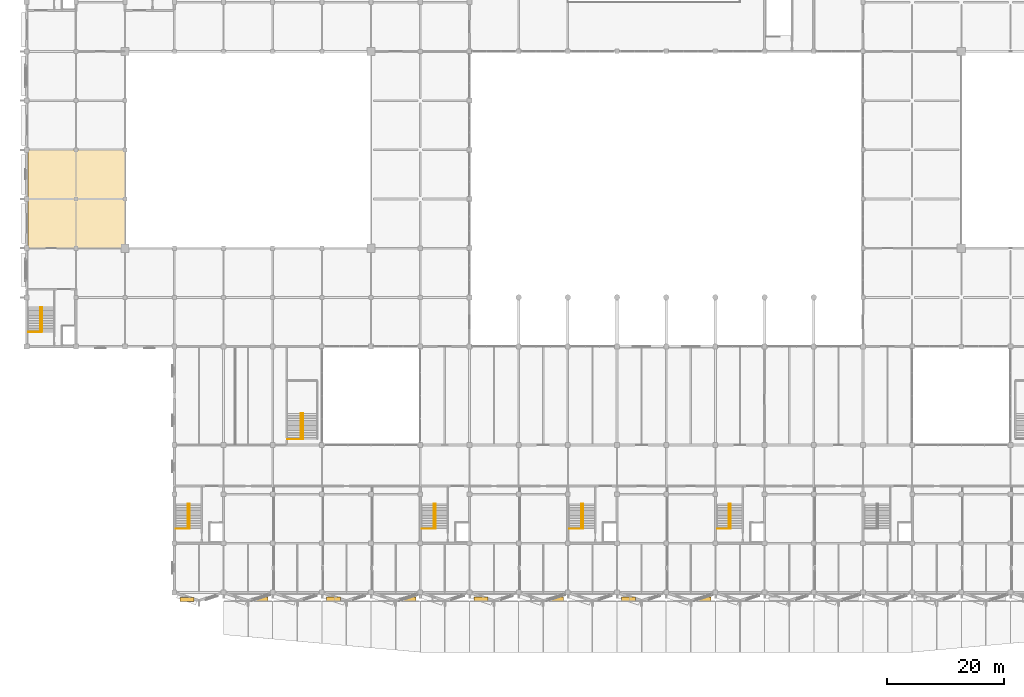
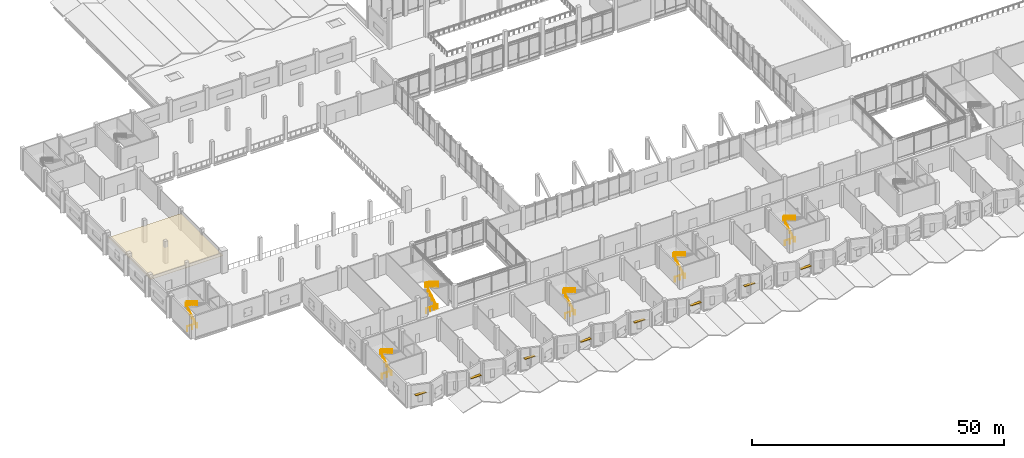
# One storey, part 69 of 72: 17 railings, 8 shading devices, 1 covering.
"""IFC4 building model written with IfcOpenShell, lengths in metres."""

from ifc_helpers import new_model, si_unit, direction, frame, origin, origin_2d, place, context, subcontext, project, spatial, polyline, rectangle, circle, outline, extrude, material, layer, layer_set, type_object, element, save


model = new_model("IFC4")

# Units and contexts
model_context = context("Model", 3, precision=1e-05, world=origin(), true_north=direction((0.0, 1.0)))
body_context = subcontext(model_context, "Body", "Model", "MODEL_VIEW")
ifc_project = project(units=[si_unit("LENGTHUNIT", "METRE"), si_unit("AREAUNIT", "SQUARE_METRE"), si_unit("VOLUMEUNIT", "CUBIC_METRE"), si_unit("PLANEANGLEUNIT", "RADIAN"), si_unit("MASSUNIT", "GRAM", prefix="KILO")], contexts=[model_context])

# Site, building, storey
site_placement = place(None, origin())
site = spatial("IfcSite", under=ifc_project, at=site_placement, CompositionType="ELEMENT")
building_placement = place(site_placement, origin())
building = spatial("IfcBuilding", under=site, at=building_placement, Name="Qawsi Khor Wholesale Market", CompositionType="ELEMENT")
storey_placement = place(building_placement, frame((0.0, 0.0, 6.0)))
storey = spatial("IfcBuildingStorey", under=building, at=storey_placement, Name="L01", CompositionType="ELEMENT", Elevation=6.0)

# Railings
ifc_material_1 = material(Name="Brushed Stainless Steel 316", Category="steel")
railing_type_1 = type_object("IfcRailingType", Name="Atrium Guard Balustrade 1150", PredefinedType="BALUSTRADE", material=ifc_material_1)
railing_1_placement = place(storey_placement, frame((44.47998046875, 26.179931640625, 0.0)))
element("IfcRailing", 1, at=railing_1_placement, inside=storey, type_object=railing_type_1, Name="Atrium stair arrival guard W L01", PredefinedType="BALUSTRADE", context=body_context, shape_type="SweptSolid", body=[
    extrude(circle(Radius=0.02392578125, at=origin_2d()), frame((0.0, 0.0, 1.1259765625), z_axis=(1.0, 0.0, 0.0), x_axis=(0.0, 1.0, 0.0)), (0.0, 0.0, 1.0), 2.669921875),
    extrude(circle(Radius=0.02099609375, at=origin_2d()), origin(), (0.0, 0.0, 1.0), 1.101806640625),
    extrude(circle(Radius=0.02099609375, at=origin_2d()), frame((0.889892578125, 0.0, 0.0)), (0.0, 0.0, 1.0), 1.101806640625),
    extrude(circle(Radius=0.02099609375, at=origin_2d()), frame((1.780029296875, 0.0, 0.0)), (0.0, 0.0, 1.0), 1.101806640625),
    extrude(circle(Radius=0.02099609375, at=origin_2d()), frame((2.669921875, 0.0, 0.0)), (0.0, 0.0, 1.0), 1.101806640625),
])
railing_2_placement = place(storey_placement, frame((46.820068359375, 26.199951171875, 0.050048828125)))
element("IfcRailing", 2, at=railing_2_placement, inside=storey, type_object=railing_type_1, Name="Atrium stair well guard W L01", PredefinedType="BALUSTRADE", context=body_context, shape_type="SweptSolid", body=[
    extrude(circle(Radius=0.02392578125, at=origin_2d()), frame((0.0, 0.0, 1.1259765625), z_axis=(0.0, 0.849649743971, 0.527347430608), x_axis=(-1.0, 0.0, 0.0)), (0.0, 0.0, 1.0), 5.119873046875),
    extrude(circle(Radius=0.02392578125, at=origin_2d()), frame((0.0, 4.35009765625, 3.82568359375), z_axis=(1.0, 0.0, 0.0), x_axis=(0.0, 1.0, 0.0)), (0.0, 0.0, 1.0), 0.35986328125),
    extrude(circle(Radius=0.02392578125, at=origin_2d()), frame((0.35986328125, 4.35009765625, 3.82568359375), z_axis=(0.0, -0.849649743971, 0.527347430608), x_axis=(1.0, 0.0, 0.0)), (0.0, 0.0, 1.0), 5.119873046875),
    extrude(circle(Radius=0.02099609375, at=origin_2d()), origin(), (0.0, 0.0, 1.0), 1.101806640625),
    extrude(circle(Radius=0.02099609375, at=origin_2d()), frame((0.0, 0.8701171875, 0.5400390625)), (0.0, 0.0, 1.0), 1.101806640625),
    extrude(circle(Radius=0.02099609375, at=origin_2d()), frame((0.0, 1.739990234375, 1.080078125)), (0.0, 0.0, 1.0), 1.101806640625),
    extrude(circle(Radius=0.02099609375, at=origin_2d()), frame((0.0, 2.610107421875, 1.619873046875)), (0.0, 0.0, 1.0), 1.101806640625),
    extrude(circle(Radius=0.02099609375, at=origin_2d()), frame((0.0, 3.47998046875, 2.159912109375)), (0.0, 0.0, 1.0), 1.101806640625),
    extrude(circle(Radius=0.02099609375, at=origin_2d()), frame((0.0, 4.35009765625, 2.699951171875)), (0.0, 0.0, 1.0), 1.101806640625),
    extrude(circle(Radius=0.02099609375, at=origin_2d()), frame((0.35986328125, 4.35009765625, 2.699951171875)), (0.0, 0.0, 1.0), 1.101806640625),
    extrude(circle(Radius=0.02099609375, at=origin_2d()), frame((0.35986328125, 3.47998046875, 3.239990234375)), (0.0, 0.0, 1.0), 1.101806640625),
    extrude(circle(Radius=0.02099609375, at=origin_2d()), frame((0.35986328125, 2.610107421875, 3.780029296875)), (0.0, 0.0, 1.0), 1.101806640625),
    extrude(circle(Radius=0.02099609375, at=origin_2d()), frame((0.35986328125, 1.739990234375, 4.31982421875)), (0.0, 0.0, 1.0), 1.101806640625),
    extrude(circle(Radius=0.02099609375, at=origin_2d()), frame((0.35986328125, 0.8701171875, 4.85986328125)), (0.0, 0.0, 1.0), 1.101806640625),
    extrude(circle(Radius=0.02099609375, at=origin_2d()), frame((0.35986328125, 0.0, 5.39990234375)), (0.0, 0.0, 1.0), 1.101806640625),
])

# Shading devices
ifc_material_2 = material(Name="Anodised Aluminium Louvre", Category="aluminium")
shading_device_type = type_object("IfcShadingDeviceType", Name="Deep-Set Horizontal Sun-Shading Louvre", PredefinedType="JALOUSIE", material=ifc_material_2)
for number, where, z_axis, x_axis, name in (
    (3, (27.357421875, -1.19580078125, 3.0400390625), (0.0, 0.0, 1.0), (1.0, 0.0, 0.0), "Sun-shading louvre 001"),
    (4, (40.0380859375, -1.112548828125, 2.68994140625), (0.0, 0.0, 1.0), (1.0, 0.0, 0.0), "Sun-shading louvre 002"),
    (5, (52.35986328125, -1.122314453125, 3.0400390625), (0.0, 0.0, 1.0), (1.0, 0.0, 0.0), "Sun-shading louvre 003"),
    (6, (65.238037109375, -1.112548828125, 2.68994140625), (0.0, 0.0, 1.0), (1.0, 0.0, 0.0), "Sun-shading louvre 004"),
    (7, (77.559814453125, -1.122314453125, 3.0400390625), (0.0, 0.0, 1.0), (1.0, 0.0, 0.0), "Sun-shading louvre 005"),
    (8, (90.43798828125, -1.112548828125, 2.68994140625), (0.0, 0.0, 1.0), (1.0, 0.0, 0.0), "Sun-shading louvre 006"),
    (9, (102.759765625, -1.122314453125, 3.0400390625), (0.0, 0.0, 1.0), (1.0, 0.0, 0.0), "Sun-shading louvre 007"),
    (10, (115.63818359375, -1.112548828125, 2.68994140625), (0.0, 0.0, 1.0), (1.0, 0.0, 0.0), "Sun-shading louvre 008"),
):
    element("IfcShadingDevice", number, at=place(storey_placement, frame(where, z_axis=z_axis, x_axis=x_axis)), inside=storey, type_object=shading_device_type, Name=name, PredefinedType="JALOUSIE", context=body_context, shape_type="SweptSolid", body=[
        extrude(rectangle(XDim=2.39990234375, YDim=0.64990234375, at=origin_2d()), origin(), (0.0, 0.0, 1.0), 0.1201171875),
    ])

# Covering
ifc_material_3 = material(Name="Antimicrobial Coated Steel Ceiling", Category="steel")
ifc_layer = layer(ifc_material_3, 0.048095703125, Name="Antimicrobial Coated Steel Ceiling")
ifc_layer_set = layer_set([ifc_layer], Name="Antimicrobial Coated Steel Ceiling")
covering_type = type_object("IfcCoveringType", Name="Hygienic Washable Lab & Kitchen Ceiling", PredefinedType="CEILING", material=ifc_layer_set)
covering_placement = place(storey_placement, frame((0.0, 0.0, 3.800048828125)))
element("IfcCovering", 11, at=covering_placement, inside=storey, type_object=covering_type, Name="Suspended ceiling 3", PredefinedType="CEILING", context=body_context, shape_type="SweptSolid", body=[
    extrude(outline(polyline([(0.199951171875, 58.800048828125), (16.800048828125, 58.800048828125), (16.800048828125, 75.60009765625), (0.199951171875, 75.60009765625), (0.199951171875, 58.800048828125)])), origin(), (0.0, 0.0, 1.0), 0.0478515625),
])

# Railings
railing_type_2 = type_object("IfcRailingType", Name="Stair & Void Guard Balustrade 1120", PredefinedType="BALUSTRADE", material=ifc_material_1)
for number, where, name in (
    (12, (25.5, 10.89990234375, 0.0), "Stairwell arrival guard ST-01 L01"),
    (13, (67.5, 10.89990234375, 0.0), "Stairwell arrival guard ST-02 L01"),
    (14, (92.699951171875, 10.89990234375, 0.0), "Stairwell arrival guard ST-03 L01"),
    (15, (117.89990234375, 10.89990234375, 0.0), "Stairwell arrival guard ST-04 L01"),
    (16, (0.300048828125, 44.5, 0.0), "Stairwell arrival guard ST-07 L01"),
):
    element("IfcRailing", number, at=place(storey_placement, frame(where)), inside=storey, type_object=railing_type_2, Name=name, PredefinedType="BALUSTRADE", context=body_context, shape_type="SweptSolid", body=[
        extrude(circle(Radius=0.02392578125, at=origin_2d()), frame((0.0, 0.0, 1.09619140625), z_axis=(1.0, 0.0, 0.0), x_axis=(0.0, 1.0, 0.0)), (0.0, 0.0, 1.0), 2.280029296875),
        extrude(circle(Radius=0.02099609375, at=origin_2d()), origin(), (0.0, 0.0, 1.0), 1.072021484375),
        extrude(circle(Radius=0.02099609375, at=origin_2d()), frame((1.14013671875, 0.0, 0.0)), (0.0, 0.0, 1.0), 1.072021484375),
        extrude(circle(Radius=0.02099609375, at=origin_2d()), frame((2.280029296875, 0.0, 0.0)), (0.0, 0.0, 1.0), 1.072021484375),
    ])
railing_type_3 = type_object("IfcRailingType", Name="Stair Pitch Handrail 920", PredefinedType="HANDRAIL", material=ifc_material_1)
railing_3_placement = place(storey_placement, frame((27.5400390625, 10.919921875, 0.168701171875)))
element("IfcRailing", 17, at=railing_3_placement, inside=storey, type_object=railing_type_3, Name="Stair handrail ST-01 L01 F1", PredefinedType="HANDRAIL", context=body_context, shape_type="SweptSolid", body=[
    extrude(circle(Radius=0.02392578125, at=origin_2d()), frame((0.0, 0.0, 0.89599609375), z_axis=(0.0, 0.856489757249, 0.516164020179), x_axis=(-1.0, 0.0, 0.0)), (0.0, 0.0, 1.0), 4.904052734375),
    extrude(circle(Radius=0.02099609375, at=origin_2d()), origin(), (0.0, 0.0, 1.0), 0.871826171875),
    extrude(circle(Radius=0.02099609375, at=origin_2d()), frame((0.0, 0.840087890625, 0.50634765625)), (0.0, 0.0, 1.0), 0.871826171875),
    extrude(circle(Radius=0.02099609375, at=origin_2d()), frame((0.0, 1.68017578125, 1.012451171875)), (0.0, 0.0, 1.0), 0.871826171875),
    extrude(circle(Radius=0.02099609375, at=origin_2d()), frame((0.0, 2.52001953125, 1.518798828125)), (0.0, 0.0, 1.0), 0.871826171875),
    extrude(circle(Radius=0.02099609375, at=origin_2d()), frame((0.0, 3.360107421875, 2.02490234375)), (0.0, 0.0, 1.0), 0.871826171875),
    extrude(circle(Radius=0.02099609375, at=origin_2d()), frame((0.0, 4.2001953125, 2.53125)), (0.0, 0.0, 1.0), 0.871826171875),
])
railing_4_placement = place(storey_placement, frame((27.800048828125, 15.1201171875, 2.86865234375)))
element("IfcRailing", 18, at=railing_4_placement, inside=storey, type_object=railing_type_3, Name="Stair handrail ST-01 L01 F2", PredefinedType="HANDRAIL", context=body_context, shape_type="SweptSolid", body=[
    extrude(circle(Radius=0.02392578125, at=origin_2d()), frame((0.0, 0.0, 0.89599609375), z_axis=(0.0, -0.856489757249, 0.516164020179), x_axis=(1.0, 0.0, 0.0)), (0.0, 0.0, 1.0), 4.904052734375),
    extrude(circle(Radius=0.02099609375, at=origin_2d()), origin(), (0.0, 0.0, 1.0), 0.871826171875),
    extrude(circle(Radius=0.02099609375, at=origin_2d()), frame((0.0, -0.840087890625, 0.50634765625)), (0.0, 0.0, 1.0), 0.871826171875),
    extrude(circle(Radius=0.02099609375, at=origin_2d()), frame((0.0, -1.68017578125, 1.012451171875)), (0.0, 0.0, 1.0), 0.871826171875),
    extrude(circle(Radius=0.02099609375, at=origin_2d()), frame((0.0, -2.52001953125, 1.518798828125)), (0.0, 0.0, 1.0), 0.871826171875),
    extrude(circle(Radius=0.02099609375, at=origin_2d()), frame((0.0, -3.360107421875, 2.02490234375)), (0.0, 0.0, 1.0), 0.871826171875),
    extrude(circle(Radius=0.02099609375, at=origin_2d()), frame((0.0, -4.2001953125, 2.53125)), (0.0, 0.0, 1.0), 0.871826171875),
])
railing_5_placement = place(storey_placement, frame((69.5400390625, 10.919921875, 0.168701171875)))
element("IfcRailing", 19, at=railing_5_placement, inside=storey, type_object=railing_type_3, Name="Stair handrail ST-02 L01 F1", PredefinedType="HANDRAIL", context=body_context, shape_type="SweptSolid", body=[
    extrude(circle(Radius=0.02392578125, at=origin_2d()), frame((0.0, 0.0, 0.89599609375), z_axis=(0.0, 0.856489757249, 0.516164020179), x_axis=(-1.0, 0.0, 0.0)), (0.0, 0.0, 1.0), 4.904052734375),
    extrude(circle(Radius=0.02099609375, at=origin_2d()), origin(), (0.0, 0.0, 1.0), 0.871826171875),
    extrude(circle(Radius=0.02099609375, at=origin_2d()), frame((0.0, 0.840087890625, 0.50634765625)), (0.0, 0.0, 1.0), 0.871826171875),
    extrude(circle(Radius=0.02099609375, at=origin_2d()), frame((0.0, 1.68017578125, 1.012451171875)), (0.0, 0.0, 1.0), 0.871826171875),
    extrude(circle(Radius=0.02099609375, at=origin_2d()), frame((0.0, 2.52001953125, 1.518798828125)), (0.0, 0.0, 1.0), 0.871826171875),
    extrude(circle(Radius=0.02099609375, at=origin_2d()), frame((0.0, 3.360107421875, 2.02490234375)), (0.0, 0.0, 1.0), 0.871826171875),
    extrude(circle(Radius=0.02099609375, at=origin_2d()), frame((0.0, 4.2001953125, 2.53125)), (0.0, 0.0, 1.0), 0.871826171875),
])
railing_6_placement = place(storey_placement, frame((69.800048828125, 15.1201171875, 2.86865234375)))
element("IfcRailing", 20, at=railing_6_placement, inside=storey, type_object=railing_type_3, Name="Stair handrail ST-02 L01 F2", PredefinedType="HANDRAIL", context=body_context, shape_type="SweptSolid", body=[
    extrude(circle(Radius=0.02392578125, at=origin_2d()), frame((0.0, 0.0, 0.89599609375), z_axis=(0.0, -0.856489757249, 0.516164020179), x_axis=(1.0, 0.0, 0.0)), (0.0, 0.0, 1.0), 4.904052734375),
    extrude(circle(Radius=0.02099609375, at=origin_2d()), origin(), (0.0, 0.0, 1.0), 0.871826171875),
    extrude(circle(Radius=0.02099609375, at=origin_2d()), frame((0.0, -0.840087890625, 0.50634765625)), (0.0, 0.0, 1.0), 0.871826171875),
    extrude(circle(Radius=0.02099609375, at=origin_2d()), frame((0.0, -1.68017578125, 1.012451171875)), (0.0, 0.0, 1.0), 0.871826171875),
    extrude(circle(Radius=0.02099609375, at=origin_2d()), frame((0.0, -2.52001953125, 1.518798828125)), (0.0, 0.0, 1.0), 0.871826171875),
    extrude(circle(Radius=0.02099609375, at=origin_2d()), frame((0.0, -3.360107421875, 2.02490234375)), (0.0, 0.0, 1.0), 0.871826171875),
    extrude(circle(Radius=0.02099609375, at=origin_2d()), frame((0.0, -4.2001953125, 2.53125)), (0.0, 0.0, 1.0), 0.871826171875),
])
railing_7_placement = place(storey_placement, frame((94.739990234375, 10.919921875, 0.168701171875)))
element("IfcRailing", 21, at=railing_7_placement, inside=storey, type_object=railing_type_3, Name="Stair handrail ST-03 L01 F1", PredefinedType="HANDRAIL", context=body_context, shape_type="SweptSolid", body=[
    extrude(circle(Radius=0.02392578125, at=origin_2d()), frame((0.0, 0.0, 0.89599609375), z_axis=(0.0, 0.856489757249, 0.516164020179), x_axis=(-1.0, 0.0, 0.0)), (0.0, 0.0, 1.0), 4.904052734375),
    extrude(circle(Radius=0.02099609375, at=origin_2d()), origin(), (0.0, 0.0, 1.0), 0.871826171875),
    extrude(circle(Radius=0.02099609375, at=origin_2d()), frame((0.0, 0.840087890625, 0.50634765625)), (0.0, 0.0, 1.0), 0.871826171875),
    extrude(circle(Radius=0.02099609375, at=origin_2d()), frame((0.0, 1.68017578125, 1.012451171875)), (0.0, 0.0, 1.0), 0.871826171875),
    extrude(circle(Radius=0.02099609375, at=origin_2d()), frame((0.0, 2.52001953125, 1.518798828125)), (0.0, 0.0, 1.0), 0.871826171875),
    extrude(circle(Radius=0.02099609375, at=origin_2d()), frame((0.0, 3.360107421875, 2.02490234375)), (0.0, 0.0, 1.0), 0.871826171875),
    extrude(circle(Radius=0.02099609375, at=origin_2d()), frame((0.0, 4.2001953125, 2.53125)), (0.0, 0.0, 1.0), 0.871826171875),
])
railing_8_placement = place(storey_placement, frame((95.0, 15.1201171875, 2.86865234375)))
element("IfcRailing", 22, at=railing_8_placement, inside=storey, type_object=railing_type_3, Name="Stair handrail ST-03 L01 F2", PredefinedType="HANDRAIL", context=body_context, shape_type="SweptSolid", body=[
    extrude(circle(Radius=0.02392578125, at=origin_2d()), frame((0.0, 0.0, 0.89599609375), z_axis=(0.0, -0.856489757249, 0.516164020179), x_axis=(1.0, 0.0, 0.0)), (0.0, 0.0, 1.0), 4.904052734375),
    extrude(circle(Radius=0.02099609375, at=origin_2d()), origin(), (0.0, 0.0, 1.0), 0.871826171875),
    extrude(circle(Radius=0.02099609375, at=origin_2d()), frame((0.0, -0.840087890625, 0.50634765625)), (0.0, 0.0, 1.0), 0.871826171875),
    extrude(circle(Radius=0.02099609375, at=origin_2d()), frame((0.0, -1.68017578125, 1.012451171875)), (0.0, 0.0, 1.0), 0.871826171875),
    extrude(circle(Radius=0.02099609375, at=origin_2d()), frame((0.0, -2.52001953125, 1.518798828125)), (0.0, 0.0, 1.0), 0.871826171875),
    extrude(circle(Radius=0.02099609375, at=origin_2d()), frame((0.0, -3.360107421875, 2.02490234375)), (0.0, 0.0, 1.0), 0.871826171875),
    extrude(circle(Radius=0.02099609375, at=origin_2d()), frame((0.0, -4.2001953125, 2.53125)), (0.0, 0.0, 1.0), 0.871826171875),
])
railing_9_placement = place(storey_placement, frame((119.93994140625, 10.919921875, 0.168701171875)))
element("IfcRailing", 23, at=railing_9_placement, inside=storey, type_object=railing_type_3, Name="Stair handrail ST-04 L01 F1", PredefinedType="HANDRAIL", context=body_context, shape_type="SweptSolid", body=[
    extrude(circle(Radius=0.02392578125, at=origin_2d()), frame((0.0, 0.0, 0.89599609375), z_axis=(0.0, 0.856489757249, 0.516164020179), x_axis=(-1.0, 0.0, 0.0)), (0.0, 0.0, 1.0), 4.904052734375),
    extrude(circle(Radius=0.02099609375, at=origin_2d()), origin(), (0.0, 0.0, 1.0), 0.871826171875),
    extrude(circle(Radius=0.02099609375, at=origin_2d()), frame((0.0, 0.840087890625, 0.50634765625)), (0.0, 0.0, 1.0), 0.871826171875),
    extrude(circle(Radius=0.02099609375, at=origin_2d()), frame((0.0, 1.68017578125, 1.012451171875)), (0.0, 0.0, 1.0), 0.871826171875),
    extrude(circle(Radius=0.02099609375, at=origin_2d()), frame((0.0, 2.52001953125, 1.518798828125)), (0.0, 0.0, 1.0), 0.871826171875),
    extrude(circle(Radius=0.02099609375, at=origin_2d()), frame((0.0, 3.360107421875, 2.02490234375)), (0.0, 0.0, 1.0), 0.871826171875),
    extrude(circle(Radius=0.02099609375, at=origin_2d()), frame((0.0, 4.2001953125, 2.53125)), (0.0, 0.0, 1.0), 0.871826171875),
])
railing_10_placement = place(storey_placement, frame((120.199951171875, 15.1201171875, 2.86865234375)))
element("IfcRailing", 24, at=railing_10_placement, inside=storey, type_object=railing_type_3, Name="Stair handrail ST-04 L01 F2", PredefinedType="HANDRAIL", context=body_context, shape_type="SweptSolid", body=[
    extrude(circle(Radius=0.02392578125, at=origin_2d()), frame((0.0, 0.0, 0.89599609375), z_axis=(0.0, -0.856489757249, 0.516164020179), x_axis=(1.0, 0.0, 0.0)), (0.0, 0.0, 1.0), 4.904052734375),
    extrude(circle(Radius=0.02099609375, at=origin_2d()), origin(), (0.0, 0.0, 1.0), 0.871826171875),
    extrude(circle(Radius=0.02099609375, at=origin_2d()), frame((0.0, -0.840087890625, 0.50634765625)), (0.0, 0.0, 1.0), 0.871826171875),
    extrude(circle(Radius=0.02099609375, at=origin_2d()), frame((0.0, -1.68017578125, 1.012451171875)), (0.0, 0.0, 1.0), 0.871826171875),
    extrude(circle(Radius=0.02099609375, at=origin_2d()), frame((0.0, -2.52001953125, 1.518798828125)), (0.0, 0.0, 1.0), 0.871826171875),
    extrude(circle(Radius=0.02099609375, at=origin_2d()), frame((0.0, -3.360107421875, 2.02490234375)), (0.0, 0.0, 1.0), 0.871826171875),
    extrude(circle(Radius=0.02099609375, at=origin_2d()), frame((0.0, -4.2001953125, 2.53125)), (0.0, 0.0, 1.0), 0.871826171875),
])
railing_11_placement = place(storey_placement, frame((2.340087890625, 44.52001953125, 0.168701171875)))
element("IfcRailing", 25, at=railing_11_placement, inside=storey, type_object=railing_type_3, Name="Stair handrail ST-07 L01 F1", PredefinedType="HANDRAIL", context=body_context, shape_type="SweptSolid", body=[
    extrude(circle(Radius=0.02392578125, at=origin_2d()), frame((0.0, 0.0, 0.89599609375), z_axis=(0.0, 0.856476492594, 0.516186030065), x_axis=(-1.0, 0.0, 0.0)), (0.0, 0.0, 1.0), 4.90380859375),
    extrude(circle(Radius=0.02099609375, at=origin_2d()), origin(), (0.0, 0.0, 1.0), 0.871826171875),
    extrude(circle(Radius=0.02099609375, at=origin_2d()), frame((0.0, 0.840087890625, 0.50634765625)), (0.0, 0.0, 1.0), 0.871826171875),
    extrude(circle(Radius=0.02099609375, at=origin_2d()), frame((0.0, 1.679931640625, 1.012451171875)), (0.0, 0.0, 1.0), 0.871826171875),
    extrude(circle(Radius=0.02099609375, at=origin_2d()), frame((0.0, 2.52001953125, 1.518798828125)), (0.0, 0.0, 1.0), 0.871826171875),
    extrude(circle(Radius=0.02099609375, at=origin_2d()), frame((0.0, 3.35986328125, 2.02490234375)), (0.0, 0.0, 1.0), 0.871826171875),
    extrude(circle(Radius=0.02099609375, at=origin_2d()), frame((0.0, 4.199951171875, 2.53125)), (0.0, 0.0, 1.0), 0.871826171875),
])
railing_12_placement = place(storey_placement, frame((2.60009765625, 48.719970703125, 2.86865234375)))
element("IfcRailing", 26, at=railing_12_placement, inside=storey, type_object=railing_type_3, Name="Stair handrail ST-07 L01 F2", PredefinedType="HANDRAIL", context=body_context, shape_type="SweptSolid", body=[
    extrude(circle(Radius=0.02392578125, at=origin_2d()), frame((0.0, 0.0, 0.89599609375), z_axis=(0.0, -0.856476492594, 0.516186030065), x_axis=(1.0, 0.0, 0.0)), (0.0, 0.0, 1.0), 4.90380859375),
    extrude(circle(Radius=0.02099609375, at=origin_2d()), origin(), (0.0, 0.0, 1.0), 0.871826171875),
    extrude(circle(Radius=0.02099609375, at=origin_2d()), frame((0.0, -0.840087890625, 0.50634765625)), (0.0, 0.0, 1.0), 0.871826171875),
    extrude(circle(Radius=0.02099609375, at=origin_2d()), frame((0.0, -1.679931640625, 1.012451171875)), (0.0, 0.0, 1.0), 0.871826171875),
    extrude(circle(Radius=0.02099609375, at=origin_2d()), frame((0.0, -2.52001953125, 1.518798828125)), (0.0, 0.0, 1.0), 0.871826171875),
    extrude(circle(Radius=0.02099609375, at=origin_2d()), frame((0.0, -3.35986328125, 2.02490234375)), (0.0, 0.0, 1.0), 0.871826171875),
    extrude(circle(Radius=0.02099609375, at=origin_2d()), frame((0.0, -4.199951171875, 2.53125)), (0.0, 0.0, 1.0), 0.871826171875),
])

save(model, "model.ifc")
